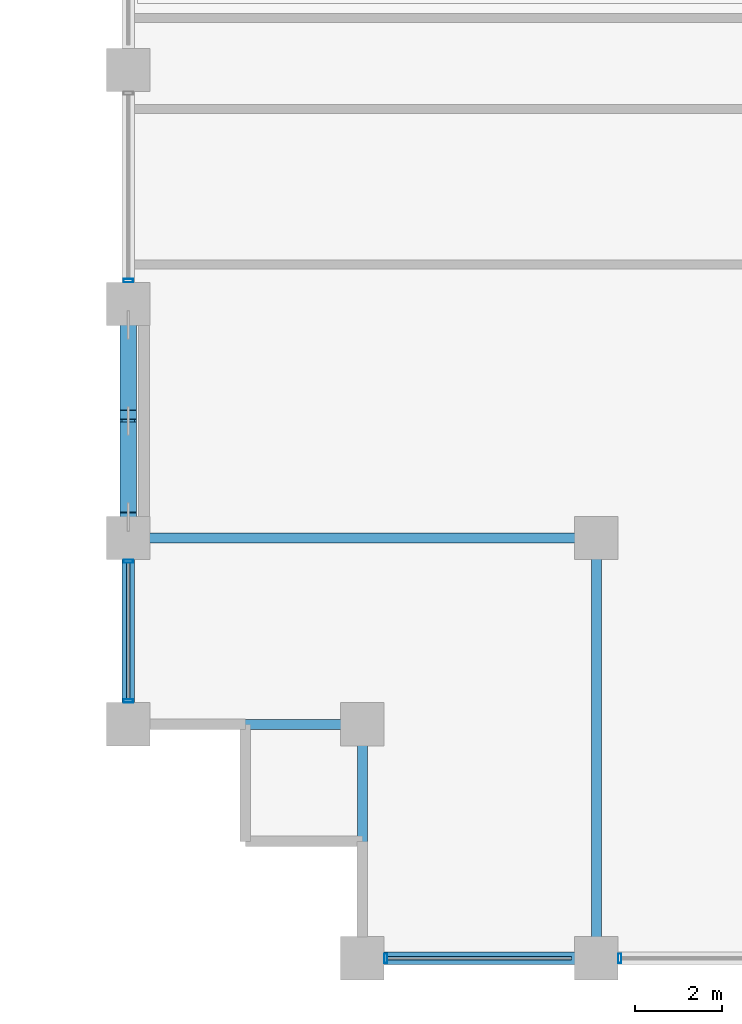
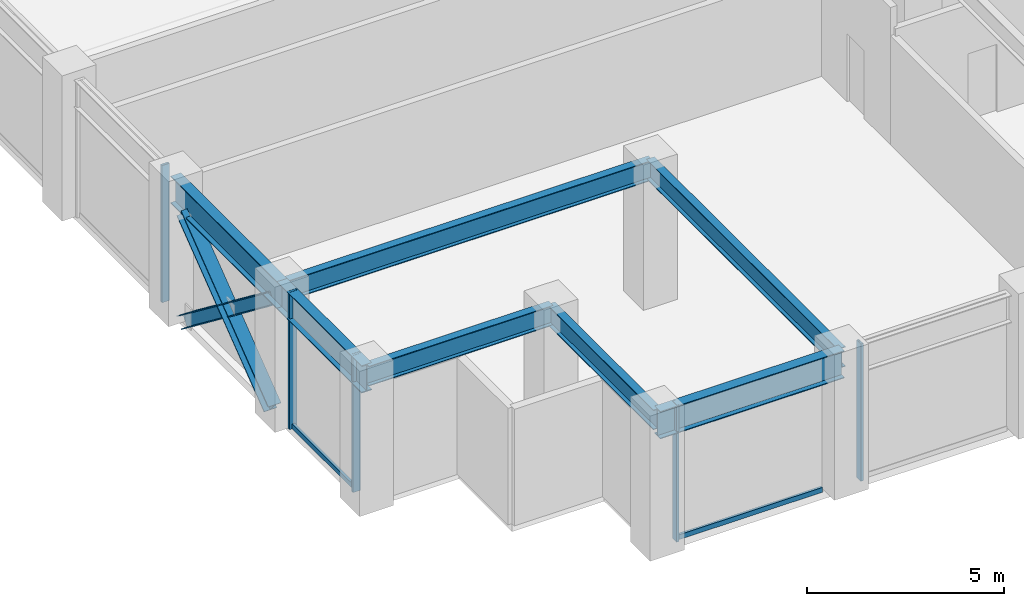
# One storey, part 2 of 25: 10 members, 7 beams, 3 elements without a shape of their own.
"""IFC4 building model written with IfcOpenShell, lengths in metres."""

from ifc_helpers import new_model, si_unit, direction, frame, origin, origin_2d, place, context, subcontext, project, spatial, hollow_rectangle, i_section, extrude, material, layer, layer_set, material_profile, profile_set, type_object, element, aggregate, save


model = new_model("IFC4")

# Units and contexts
model_context = context("Model", 3, precision=1e-05, world=origin(), true_north=direction((0.0, 1.0)))
body_context = subcontext(model_context, "Body", "Model", "MODEL_VIEW")
ifc_project = project(units=[si_unit("LENGTHUNIT", "METRE"), si_unit("AREAUNIT", "SQUARE_METRE"), si_unit("VOLUMEUNIT", "CUBIC_METRE"), si_unit("PLANEANGLEUNIT", "RADIAN"), si_unit("MASSUNIT", "GRAM", prefix="KILO")], contexts=[model_context])

# Site, building, storey
site_placement = place(None, origin())
site = spatial("IfcSite", under=ifc_project, at=site_placement, CompositionType="ELEMENT")
building_placement = place(site_placement, origin())
building = spatial("IfcBuilding", under=site, at=building_placement, Name="Surkhivell Harbour Commons", CompositionType="ELEMENT")
storey_placement = place(building_placement, frame((0.0, 0.0, 162.0)))
storey = spatial("IfcBuildingStorey", under=building, at=storey_placement, Name="L42", CompositionType="ELEMENT", Elevation=162.0)

# Beams
ifc_material_1 = material(Name="Steel S355", Category="steel")
ifc_material_profile_1 = material_profile(ifc_material_1, i_section(OverallWidth=0.22998046875, OverallDepth=0.616943359375, WebThickness=0.01318359375, FlangeThickness=0.022216796875, at=origin_2d()), Name="UB610x229x140")
ifc_profile_set_1 = profile_set([ifc_material_profile_1], Name="Steel S355")
beam_type_1 = type_object("IfcBeamType", Name="BM-GRD-610B", PredefinedType="BEAM", material=ifc_profile_set_1)
beam_1_placement = place(storey_placement, frame((-32.39990234375, -20.5, 3.94140625), z_axis=(1.0, 0.0, 0.0), x_axis=(0.0, 1.0, 0.0)))
element("IfcBeam", 1, at=beam_1_placement, inside=storey, type_object=beam_type_1, Name="L42 Floor Girder (-32.4,-20.5)", PredefinedType="BEAM", context=body_context, shape_type="SweptSolid", body=[
    extrude(i_section(OverallWidth=0.22998046875, OverallDepth=0.616943359375, WebThickness=0.01318359375, FlangeThickness=0.022216796875, at=origin_2d()), origin(), (0.0, 0.0, 1.0), 5.39990234375),
])
beam_2_placement = place(storey_placement, frame((-32.39990234375, -16.199951171875, 3.94140625), z_axis=(1.0, 0.0, 0.0), x_axis=(0.0, 1.0, 0.0)))
element("IfcBeam", 2, at=beam_2_placement, inside=storey, type_object=beam_type_1, Name="L42 Floor Girder (-32.4,-16.2)", PredefinedType="BEAM", context=body_context, shape_type="SweptSolid", body=[
    extrude(i_section(OverallWidth=0.22998046875, OverallDepth=0.616943359375, WebThickness=0.01318359375, FlangeThickness=0.022216796875, at=origin_2d()), origin(), (0.0, 0.0, 1.0), 10.7998046875),
])
beam_3_placement = place(storey_placement, frame((-27.0, -25.89990234375, 3.94140625), z_axis=(0.0, 1.0, 0.0), x_axis=(-1.0, 0.0, 0.0)))
element("IfcBeam", 3, at=beam_3_placement, inside=storey, type_object=beam_type_1, Name="L42 Floor Girder (-27.0,-25.9)", PredefinedType="BEAM", context=body_context, shape_type="SweptSolid", body=[
    extrude(i_section(OverallWidth=0.22998046875, OverallDepth=0.616943359375, WebThickness=0.01318359375, FlangeThickness=0.022216796875, at=origin_2d()), origin(), (0.0, 0.0, 1.0), 5.39990234375),
])
beam_4_placement = place(storey_placement, frame((-21.60009765625, -25.89990234375, 3.94140625), z_axis=(0.0, 1.0, 0.0), x_axis=(-1.0, 0.0, 0.0)))
element("IfcBeam", 4, at=beam_4_placement, inside=storey, type_object=beam_type_1, Name="L42 Floor Girder (-21.6,-25.9)", PredefinedType="BEAM", context=body_context, shape_type="SweptSolid", body=[
    extrude(i_section(OverallWidth=0.22998046875, OverallDepth=0.616943359375, WebThickness=0.01318359375, FlangeThickness=0.022216796875, at=origin_2d()), origin(), (0.0, 0.0, 1.0), 9.699951171875),
])
ifc_material_2 = material(Name="Steel S460", Category="steel")
ifc_material_profile_2 = material_profile(ifc_material_2, i_section(OverallWidth=0.2939453125, OverallDepth=0.85107421875, WebThickness=0.01611328125, FlangeThickness=0.02685546875, at=origin_2d()), Name="UB838x292x226")
ifc_profile_set_2 = profile_set([ifc_material_profile_2], Name="Steel S460")
beam_type_2 = type_object("IfcBeamType", Name="BM-SPN-838", PredefinedType="SPANDREL", material=ifc_profile_set_2)
beam_5_placement = place(storey_placement, frame((-32.39990234375, -20.5, 3.824462890625), z_axis=(0.0, 1.0, 0.0), x_axis=(-1.0, 0.0, 0.0)))
element("IfcBeam", 5, at=beam_5_placement, inside=storey, type_object=beam_type_2, Name="L42 Tube Spandrel (-32.4,-20.5)", PredefinedType="SPANDREL", context=body_context, shape_type="SweptSolid", body=[
    extrude(i_section(OverallWidth=0.2939453125, OverallDepth=0.85107421875, WebThickness=0.01611328125, FlangeThickness=0.02685546875, at=origin_2d()), origin(), (0.0, 0.0, 1.0), 4.300048828125),
])
for number, where, z_axis, x_axis, name in (
    (6, (-32.39990234375, -16.199951171875, 3.824462890625), (0.0, 1.0, 0.0), (-1.0, 0.0, 0.0), "L42 Tube Spandrel (-32.4,-16.2)"),
    (7, (-27.0, -25.89990234375, 3.824462890625), (1.0, 0.0, 0.0), (0.0, 1.0, 0.0), "L42 Tube Spandrel (-27.0,-25.9)"),
):
    element("IfcBeam", number, at=place(storey_placement, frame(where, z_axis=z_axis, x_axis=x_axis)), inside=storey, type_object=beam_type_2, Name=name, PredefinedType="SPANDREL", context=body_context, shape_type="SweptSolid", body=[
        extrude(i_section(OverallWidth=0.2939453125, OverallDepth=0.85107421875, WebThickness=0.01611328125, FlangeThickness=0.02685546875, at=origin_2d()), origin(), (0.0, 0.0, 1.0), 5.39990234375),
    ])

# Curtain wall, members
ifc_material_3 = material(Name="Anodised pale-metal aluminium and insulated glazing", Category="aluminium")
ifc_layer = layer(ifc_material_3, 0.205078125)
ifc_layer_set = layer_set([ifc_layer], Name="Anodised pale-metal aluminium and insulated glazing")
curtain_wall_type = type_object("IfcCurtainWallType", Name="CW-SYS-Z2", PredefinedType="NOTDEFINED", material=ifc_layer_set)
curtain_wall_1_placement = place(storey_placement, origin())
curtain_wall_1 = element("IfcCurtainWall", 8, at=curtain_wall_1_placement, inside=storey, type_object=curtain_wall_type, Name="L42 Curtain Wall CW-L42-E00S1", PredefinedType="NOTDEFINED")
ifc_material_4 = material(Name="Anodised pale-metal aluminium alloy 6063-T6", Category="aluminium")
ifc_material_profile_3 = material_profile(ifc_material_4, hollow_rectangle(XDim=0.074951171875, YDim=0.219970703125, WallThickness=0.00390625, at=origin_2d()), Name="ALU-MULL-75x220")
ifc_profile_set_3 = profile_set([ifc_material_profile_3], Name="Anodised pale-metal aluminium alloy 6063-T6")
member_type_1 = type_object("IfcMemberType", Name="CWM-220", PredefinedType="MULLION", material=ifc_profile_set_3)
member_1_placement = place(storey_placement, frame((-26.46044921875, -25.89990234375, 0.0), z_axis=(0.0, 0.0, 1.0), x_axis=(1.0, 0.0, 0.0)))
member_1 = element("IfcMember", 9, at=member_1_placement, type_object=member_type_1, Name="CW-Z2 mullion 1", PredefinedType="MULLION", context=body_context, shape_type="SweptSolid", body=[
    extrude(hollow_rectangle(XDim=0.074951171875, YDim=0.219970703125, WallThickness=0.00390625, at=origin_2d()), origin(), (0.0, 0.0, 1.0), 4.25),
])
member_2_placement = place(storey_placement, frame((-21.060546875, -25.89990234375, 0.0), z_axis=(0.0, 0.0, 1.0), x_axis=(1.0, 0.0, 0.0)))
member_2 = element("IfcMember", 10, at=member_2_placement, type_object=member_type_1, Name="CW-Z2 mullion 2", PredefinedType="MULLION", context=body_context, shape_type="SweptSolid", body=[
    extrude(hollow_rectangle(XDim=0.074951171875, YDim=0.219970703125, WallThickness=0.00390625, at=origin_2d()), origin(), (0.0, 0.0, 1.0), 4.25),
])

# Curtain wall, member
curtain_wall_2_placement = place(storey_placement, origin())
curtain_wall_2 = element("IfcCurtainWall", 11, at=curtain_wall_2_placement, inside=storey, type_object=curtain_wall_type, Name="L42 Curtain Wall CW-L42-E12S1", PredefinedType="NOTDEFINED")
member_3_placement = place(storey_placement, frame((-32.39990234375, -10.260498046875, 0.0), z_axis=(0.0, 0.0, 1.0), x_axis=(0.0, -1.0, 0.0)))
member_3 = element("IfcMember", 12, at=member_3_placement, type_object=member_type_1, Name="CW-Z2 mullion 7", PredefinedType="MULLION", context=body_context, shape_type="SweptSolid", body=[
    extrude(hollow_rectangle(XDim=0.074951171875, YDim=0.219970703125, WallThickness=0.00390625, at=origin_2d()), origin(), (0.0, 0.0, 1.0), 4.25),
])
aggregate(curtain_wall_2, [member_3])

# Curtain wall, members
curtain_wall_3_placement = place(storey_placement, origin())
curtain_wall_3 = element("IfcCurtainWall", 13, at=curtain_wall_3_placement, inside=storey, type_object=curtain_wall_type, Name="L42 Curtain Wall CW-L42-E12S2", PredefinedType="NOTDEFINED")
member_4_placement = place(storey_placement, frame((-32.39990234375, -16.739501953125, 0.0), z_axis=(0.0, 0.0, 1.0), x_axis=(0.0, -1.0, 0.0)))
member_4 = element("IfcMember", 14, at=member_4_placement, type_object=member_type_1, Name="CW-Z2 mullion 1", PredefinedType="MULLION", context=body_context, shape_type="SweptSolid", body=[
    extrude(hollow_rectangle(XDim=0.074951171875, YDim=0.219970703125, WallThickness=0.00390625, at=origin_2d()), origin(), (0.0, 0.0, 1.0), 4.25),
])
member_5_placement = place(storey_placement, frame((-32.39990234375, -19.96044921875, 0.0), z_axis=(0.0, 0.0, 1.0), x_axis=(0.0, -1.0, 0.0)))
member_5 = element("IfcMember", 15, at=member_5_placement, type_object=member_type_1, Name="CW-Z2 mullion 2", PredefinedType="MULLION", context=body_context, shape_type="SweptSolid", body=[
    extrude(hollow_rectangle(XDim=0.074951171875, YDim=0.219970703125, WallThickness=0.00390625, at=origin_2d()), origin(), (0.0, 0.0, 1.0), 4.25),
])

# Member
ifc_material_profile_4 = material_profile(ifc_material_4, hollow_rectangle(XDim=0.074951171875, YDim=0.14990234375, WallThickness=0.00341796875, at=origin_2d()), Name="ALU-TRAN-75x150")
ifc_profile_set_4 = profile_set([ifc_material_profile_4], Name="Anodised pale-metal aluminium alloy 6063-T6")
member_type_2 = type_object("IfcMemberType", Name="CWT-150", PredefinedType="USERDEFINED", material=ifc_profile_set_4)
member_6_placement = place(storey_placement, frame((-26.423095703125, -25.89990234375, 0.074951171875), z_axis=(1.0, 0.0, 0.0), x_axis=(0.0, 1.0, 0.0)))
member_6 = element("IfcMember", 16, at=member_6_placement, type_object=member_type_2, Name="CW-Z2 transom 1.1", ObjectType="TRANSOM", PredefinedType="USERDEFINED", context=body_context, shape_type="SweptSolid", body=[
    extrude(hollow_rectangle(XDim=0.074951171875, YDim=0.14990234375, WallThickness=0.00341796875, at=origin_2d()), origin(), (0.0, 0.0, 1.0), 4.24609375),
])

aggregate(curtain_wall_1, [member_1, member_6, member_2])

member_7_placement = place(storey_placement, frame((-32.39990234375, -16.777099609375, 0.074951171875), z_axis=(0.0, -1.0, 0.0), x_axis=(1.0, 0.0, 0.0)))
member_7 = element("IfcMember", 17, at=member_7_placement, type_object=member_type_2, Name="CW-Z2 transom 1.1", ObjectType="TRANSOM", PredefinedType="USERDEFINED", context=body_context, shape_type="SweptSolid", body=[
    extrude(hollow_rectangle(XDim=0.074951171875, YDim=0.14990234375, WallThickness=0.00341796875, at=origin_2d()), origin(), (0.0, 0.0, 1.0), 3.14599609375),
])

aggregate(curtain_wall_3, [member_4, member_5, member_7])

# Members
ifc_material_profile_5 = material_profile(ifc_material_2, i_section(OverallWidth=0.375, OverallDepth=0.375, WebThickness=0.0166015625, FlangeThickness=0.027099609375, at=origin_2d()), Name="UC356x368x202")
ifc_profile_set_5 = profile_set([ifc_material_profile_5], Name="Steel S460")
member_type_3 = type_object("IfcMemberType", Name="MEM-BRC-UC356", PredefinedType="BRACE", material=ifc_profile_set_5)
member_8_placement = place(storey_placement, frame((-32.39990234375, -15.715087890625, 0.008056640625), z_axis=(0.0, 0.793731661002, 0.608268074391), x_axis=(-1.0, 0.0, 0.0)))
element("IfcMember", 18, at=member_8_placement, inside=storey, type_object=member_type_3, Name="L42 Perimeter Mega-Brace MB- 10", PredefinedType="BRACE", context=body_context, shape_type="SweptSolid", body=[
    extrude(i_section(OverallWidth=0.375, OverallDepth=0.375, WebThickness=0.0166015625, FlangeThickness=0.027099609375, at=origin_2d()), origin(), (0.0, 0.0, 1.0), 5.58154296875),
])
member_9_placement = place(storey_placement, frame((-32.39990234375, -11.284912109375, 0.008056640625), z_axis=(0.0, -0.793762871071, 0.608227346071), x_axis=(1.0, 0.0, 0.0)))
element("IfcMember", 19, at=member_9_placement, inside=storey, type_object=member_type_3, Name="L42 Perimeter Mega-Brace MB- 11", PredefinedType="BRACE", context=body_context, shape_type="SweptSolid", body=[
    extrude(i_section(OverallWidth=0.375, OverallDepth=0.375, WebThickness=0.0166015625, FlangeThickness=0.027099609375, at=origin_2d()), origin(), (0.0, 0.0, 1.0), 2.610595703125),
])
member_10_placement = place(storey_placement, frame((-32.39990234375, -13.642822265625, 1.81494140625), z_axis=(0.0, -0.793717723077, 0.608286261618), x_axis=(1.0, 0.0, 0.0)))
element("IfcMember", 20, at=member_10_placement, inside=storey, type_object=member_type_3, Name="L42 Perimeter Mega-Brace MB- 12", PredefinedType="BRACE", context=body_context, shape_type="SweptSolid", body=[
    extrude(i_section(OverallWidth=0.375, OverallDepth=0.375, WebThickness=0.0166015625, FlangeThickness=0.027099609375, at=origin_2d()), origin(), (0.0, 0.0, 1.0), 2.61083984375),
])

save(model, "model.ifc")
